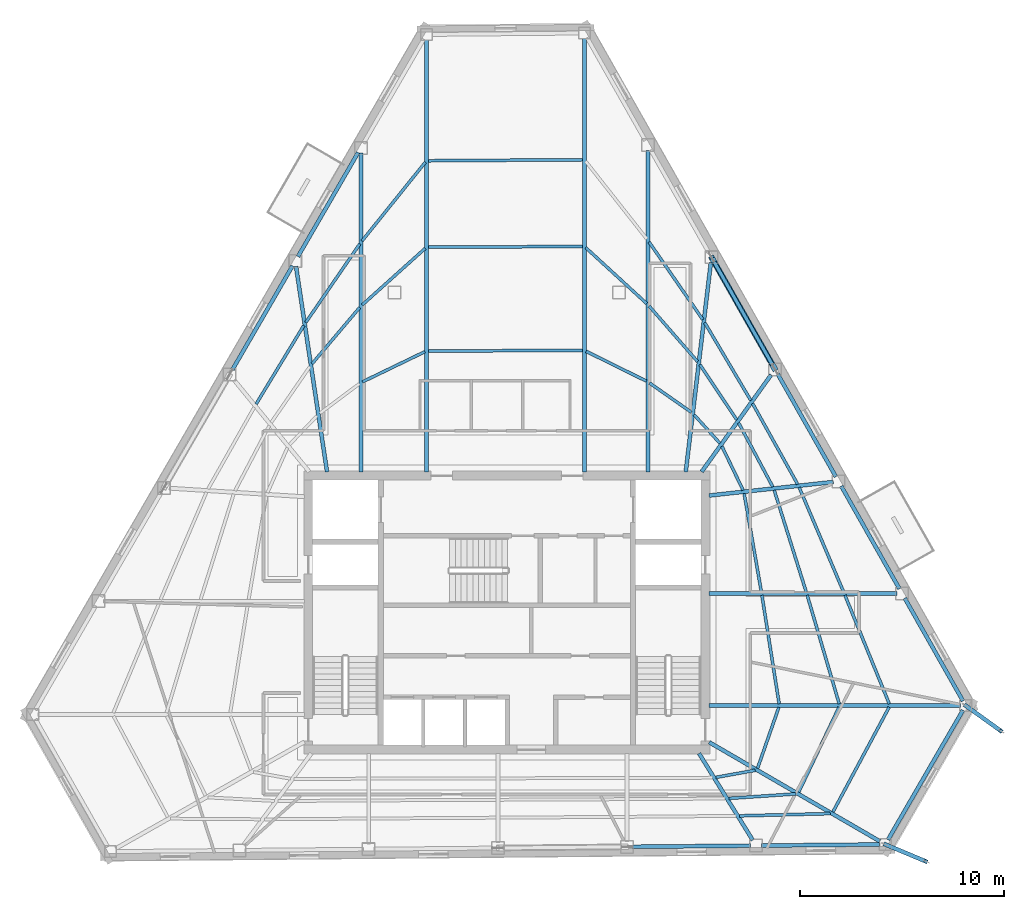
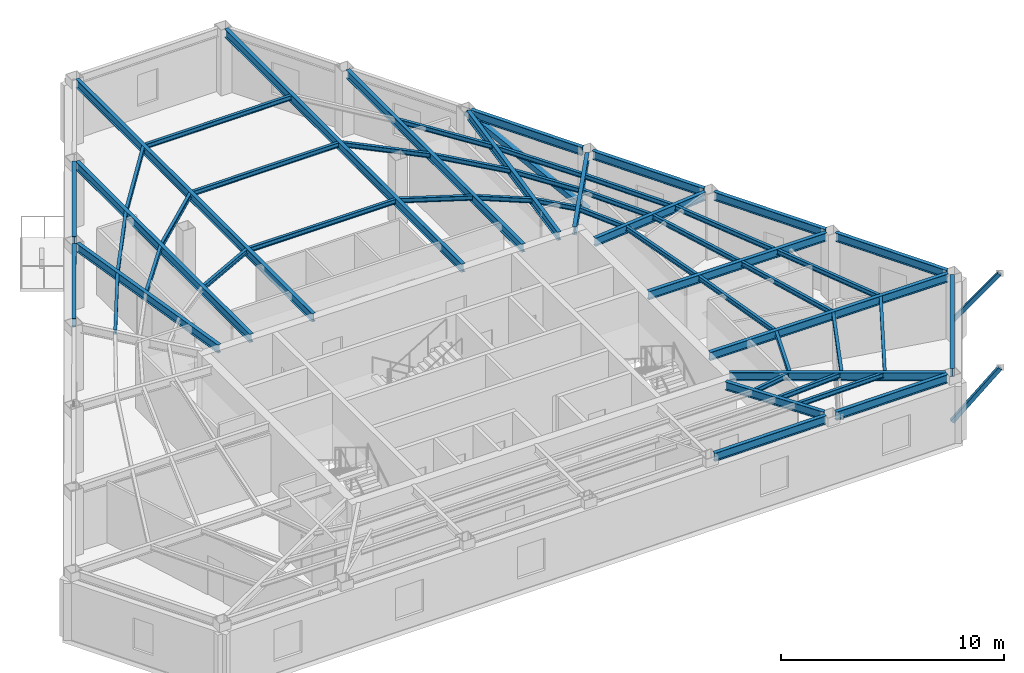
# One storey, part 2 of 10: 53 beams, 3 members.
"""IFC4 building model written with IfcOpenShell, lengths in metres."""

from ifc_helpers import new_model, si_unit, direction, frame, origin, origin_2d, place, context, subcontext, project, spatial, hollow_rectangle, i_section, extrude, material, material_profile, profile_set, type_object, element, save


model = new_model("IFC4")

# Units and contexts
model_context = context("Model", 3, precision=1e-05, world=origin(), true_north=direction((0.0, 1.0)))
body_context = subcontext(model_context, "Body", "Model", "MODEL_VIEW")
ifc_project = project(units=[si_unit("LENGTHUNIT", "METRE"), si_unit("AREAUNIT", "SQUARE_METRE"), si_unit("VOLUMEUNIT", "CUBIC_METRE"), si_unit("PLANEANGLEUNIT", "RADIAN"), si_unit("MASSUNIT", "GRAM", prefix="KILO")], contexts=[model_context])

# Site, building, storey
site_placement = place(None, origin())
site = spatial("IfcSite", under=ifc_project, at=site_placement, CompositionType="ELEMENT")
building_placement = place(site_placement, origin())
building = spatial("IfcBuilding", under=site, at=building_placement, Name="Kavelnor Concourse Tower", CompositionType="ELEMENT")
storey_placement = place(building_placement, frame((0.0, 0.0, 222.75)))
storey = spatial("IfcBuildingStorey", under=building, at=storey_placement, Name="L56", CompositionType="ELEMENT", Elevation=222.75)

# Beams
ifc_material = material(Name="Steel Grade 350", Category="steel")
ifc_material_profile_1 = material_profile(ifc_material, i_section(OverallWidth=0.14599609375, OverallDepth=0.256103515625, WebThickness=0.00634765625, FlangeThickness=0.010986328125, at=origin_2d()), Name="250UB37")
ifc_profile_set_1 = profile_set([ifc_material_profile_1], Name="Steel Grade 350")
beam_type_1 = type_object("IfcBeamType", Name="BM-JOIST-250", PredefinedType="JOIST", material=ifc_profile_set_1)
beam_1_placement = place(storey_placement, frame((48.253662109375, 8.017822265625, 3.471923828125), z_axis=(0.984084531963, 0.177700967783, 0.0), x_axis=(-0.177700967783, 0.984084531963, 0.0)))
element("IfcBeam", 1, at=beam_1_placement, inside=storey, type_object=beam_type_1, Name="L56 Secondary Composite Joist 07-1", PredefinedType="JOIST", context=body_context, shape_type="SweptSolid", body=[
    extrude(i_section(OverallWidth=0.14599609375, OverallDepth=0.256103515625, WebThickness=0.00634765625, FlangeThickness=0.010986328125, at=origin_2d()), origin(), (0.0, 0.0, 1.0), 1.959228515625),
])
beam_2_placement = place(storey_placement, frame((48.88720703125, 6.986328125, 3.471923828125), z_axis=(0.997719731514, 0.067493239268, 0.0), x_axis=(-0.067493239268, 0.997719731514, 0.0)))
element("IfcBeam", 2, at=beam_2_placement, inside=storey, type_object=beam_type_1, Name="L56 Secondary Composite Joist 07-2", PredefinedType="JOIST", context=body_context, shape_type="SweptSolid", body=[
    extrude(i_section(OverallWidth=0.14599609375, OverallDepth=0.256103515625, WebThickness=0.00634765625, FlangeThickness=0.010986328125, at=origin_2d()), origin(), (0.0, 0.0, 1.0), 3.309814453125),
])
beam_3_placement = place(storey_placement, frame((49.414306640625, 6.131103515625, 3.471923828125), z_axis=(0.999691199643, 0.024849655039, 0.0), x_axis=(-0.024849655039, 0.999691199643, 0.0)))
element("IfcBeam", 3, at=beam_3_placement, inside=storey, type_object=beam_type_1, Name="L56 Secondary Composite Joist 07-3", PredefinedType="JOIST", context=body_context, shape_type="SweptSolid", body=[
    extrude(i_section(OverallWidth=0.14599609375, OverallDepth=0.256103515625, WebThickness=0.00634765625, FlangeThickness=0.010986328125, at=origin_2d()), origin(), (0.0, 0.0, 1.0), 4.45068359375),
])
beam_4_placement = place(storey_placement, frame((50.298583984375, 8.4658203125, 3.471923828125), z_axis=(0.32942971212, 0.944180101873, 0.0), x_axis=(-0.944180101873, 0.32942971212, 0.0)))
element("IfcBeam", 4, at=beam_4_placement, inside=storey, type_object=beam_type_1, Name="L56 Secondary Composite Joist 08-1", PredefinedType="JOIST", context=body_context, shape_type="SweptSolid", body=[
    extrude(i_section(OverallWidth=0.14599609375, OverallDepth=0.256103515625, WebThickness=0.00634765625, FlangeThickness=0.010986328125, at=origin_2d()), origin(), (0.0, 0.0, 1.0), 3.166015625),
])
beam_5_placement = place(storey_placement, frame((52.31640625, 7.296142578125, 3.471923828125), z_axis=(0.428548712438, 0.903518677763, 0.0), x_axis=(-0.903518677763, 0.428548712438, 0.0)))
element("IfcBeam", 5, at=beam_5_placement, inside=storey, type_object=beam_type_1, Name="L56 Secondary Composite Joist 08-2", PredefinedType="JOIST", context=body_context, shape_type="SweptSolid", body=[
    extrude(i_section(OverallWidth=0.14599609375, OverallDepth=0.256103515625, WebThickness=0.00634765625, FlangeThickness=0.010986328125, at=origin_2d()), origin(), (0.0, 0.0, 1.0), 4.607177734375),
])
beam_6_placement = place(storey_placement, frame((53.994384765625, 6.322509765625, 3.471923828125), z_axis=(0.472851005056, 0.881142398831, 0.0), x_axis=(-0.881142398831, 0.472851005056, 0.0)))
element("IfcBeam", 6, at=beam_6_placement, inside=storey, type_object=beam_type_1, Name="L56 Secondary Composite Joist 08-3", PredefinedType="JOIST", context=body_context, shape_type="SweptSolid", body=[
    extrude(i_section(OverallWidth=0.14599609375, OverallDepth=0.256103515625, WebThickness=0.00634765625, FlangeThickness=0.010986328125, at=origin_2d()), origin(), (0.0, 0.0, 1.0), 5.831298828125),
])
beam_7_placement = place(storey_placement, frame((51.35693359375, 11.626953125, 3.471923828125), z_axis=(-0.156709323523, 0.987644768083, 0.0), x_axis=(-0.987644768083, -0.156709323523, 0.0)))
element("IfcBeam", 7, at=beam_7_placement, inside=storey, type_object=beam_type_1, Name="L56 Secondary Composite Joist 09-1", PredefinedType="JOIST", context=body_context, shape_type="SweptSolid", body=[
    extrude(i_section(OverallWidth=0.14599609375, OverallDepth=0.256103515625, WebThickness=0.00634765625, FlangeThickness=0.010986328125, at=origin_2d()), origin(), (0.0, 0.0, 1.0), 5.388916015625),
])
beam_8_placement = place(storey_placement, frame((54.3037109375, 11.62451171875, 3.471923828125), z_axis=(-0.282706538827, 0.959206449574, 0.0), x_axis=(-0.959206449574, -0.282706538827, 0.0)))
element("IfcBeam", 8, at=beam_8_placement, inside=storey, type_object=beam_type_1, Name="L56 Secondary Composite Joist 09-2", PredefinedType="JOIST", context=body_context, shape_type="SweptSolid", body=[
    extrude(i_section(OverallWidth=0.14599609375, OverallDepth=0.256103515625, WebThickness=0.00634765625, FlangeThickness=0.010986328125, at=origin_2d()), origin(), (0.0, 0.0, 1.0), 5.5537109375),
])
beam_9_placement = place(storey_placement, frame((56.76025390625, 11.62158203125, 3.471923828125), z_axis=(-0.377863630791, 0.925861262029, 0.0), x_axis=(-0.925861262029, -0.377863630791, 0.0)))
element("IfcBeam", 9, at=beam_9_placement, inside=storey, type_object=beam_type_1, Name="L56 Secondary Composite Joist 09-3", PredefinedType="JOIST", context=body_context, shape_type="SweptSolid", body=[
    extrude(i_section(OverallWidth=0.14599609375, OverallDepth=0.256103515625, WebThickness=0.00634765625, FlangeThickness=0.010986328125, at=origin_2d()), origin(), (0.0, 0.0, 1.0), 5.760009765625),
])
beam_10_placement = place(storey_placement, frame((50.483154296875, 17.124755859375, 3.471923828125), z_axis=(-0.172201033332, 0.985061827562, 0.0), x_axis=(-0.985061827562, -0.172201033332, 0.0)))
element("IfcBeam", 10, at=beam_10_placement, inside=storey, type_object=beam_type_1, Name="L56 Secondary Composite Joist 10-1", PredefinedType="JOIST", context=body_context, shape_type="SweptSolid", body=[
    extrude(i_section(OverallWidth=0.14599609375, OverallDepth=0.256103515625, WebThickness=0.00634765625, FlangeThickness=0.010986328125, at=origin_2d()), origin(), (0.0, 0.0, 1.0), 4.888427734375),
])
beam_11_placement = place(storey_placement, frame((52.681884765625, 17.121826171875, 3.471923828125), z_axis=(-0.300135401835, 0.953896608949, 0.0), x_axis=(-0.953896608949, -0.300135401835, 0.0)))
element("IfcBeam", 11, at=beam_11_placement, inside=storey, type_object=beam_type_1, Name="L56 Secondary Composite Joist 10-2", PredefinedType="JOIST", context=body_context, shape_type="SweptSolid", body=[
    extrude(i_section(OverallWidth=0.14599609375, OverallDepth=0.256103515625, WebThickness=0.00634765625, FlangeThickness=0.010986328125, at=origin_2d()), origin(), (0.0, 0.0, 1.0), 5.221435546875),
])
beam_12_placement = place(storey_placement, frame((54.515380859375, 17.118896484375, 3.471923828125), z_axis=(-0.390871082065, 0.920445434127, 0.0), x_axis=(-0.920445434127, -0.390871082065, 0.0)))
element("IfcBeam", 12, at=beam_12_placement, inside=storey, type_object=beam_type_1, Name="L56 Secondary Composite Joist 10-3", PredefinedType="JOIST", context=body_context, shape_type="SweptSolid", body=[
    extrude(i_section(OverallWidth=0.14599609375, OverallDepth=0.256103515625, WebThickness=0.00634765625, FlangeThickness=0.010986328125, at=origin_2d()), origin(), (0.0, 0.0, 1.0), 5.56201171875),
])
beam_13_placement = place(storey_placement, frame((49.58740234375, 22.108154296875, 3.471923828125), z_axis=(-0.434577565682, 0.900634409406, 0.0), x_axis=(-0.900634409406, -0.434577565682, 0.0)))
element("IfcBeam", 13, at=beam_13_placement, inside=storey, type_object=beam_type_1, Name="L56 Secondary Composite Joist 11-1", PredefinedType="JOIST", context=body_context, shape_type="SweptSolid", body=[
    extrude(i_section(OverallWidth=0.14599609375, OverallDepth=0.256103515625, WebThickness=0.00634765625, FlangeThickness=0.010986328125, at=origin_2d()), origin(), (0.0, 0.0, 1.0), 2.388671875),
])
beam_14_placement = place(storey_placement, frame((51.046142578125, 22.26611328125, 3.471923828125), z_axis=(-0.471133293755, 0.882062027023, 0.0), x_axis=(-0.882062027023, -0.471133293755, 0.0)))
element("IfcBeam", 14, at=beam_14_placement, inside=storey, type_object=beam_type_1, Name="L56 Secondary Composite Joist 11-2", PredefinedType="JOIST", context=body_context, shape_type="SweptSolid", body=[
    extrude(i_section(OverallWidth=0.14599609375, OverallDepth=0.256103515625, WebThickness=0.00634765625, FlangeThickness=0.010986328125, at=origin_2d()), origin(), (0.0, 0.0, 1.0), 3.556396484375),
])
beam_15_placement = place(storey_placement, frame((52.26318359375, 22.398193359375, 3.471923828125), z_axis=(-0.487494145885, 0.87312625532, 0.0), x_axis=(-0.87312625532, -0.487494145885, 0.0)))
element("IfcBeam", 15, at=beam_15_placement, inside=storey, type_object=beam_type_1, Name="L56 Secondary Composite Joist 11-3", PredefinedType="JOIST", context=body_context, shape_type="SweptSolid", body=[
    extrude(i_section(OverallWidth=0.14599609375, OverallDepth=0.256103515625, WebThickness=0.00634765625, FlangeThickness=0.010986328125, at=origin_2d()), origin(), (0.0, 0.0, 1.0), 4.5322265625),
])
beam_16_placement = place(storey_placement, frame((48.450927734375, 24.40576171875, 3.471923828125), z_axis=(-0.670822150204, 0.741618259481, 0.0), x_axis=(-0.741618259481, -0.670822150204, 0.0)))
element("IfcBeam", 16, at=beam_16_placement, inside=storey, type_object=beam_type_1, Name="L56 Secondary Composite Joist 12-1", PredefinedType="JOIST", context=body_context, shape_type="SweptSolid", body=[
    extrude(i_section(OverallWidth=0.14599609375, OverallDepth=0.256103515625, WebThickness=0.00634765625, FlangeThickness=0.010986328125, at=origin_2d()), origin(), (0.0, 0.0, 1.0), 1.893310546875),
])
beam_17_placement = place(storey_placement, frame((49.279296875, 25.555419921875, 3.471923828125), z_axis=(-0.555839706028, 0.831289493018, 0.0), x_axis=(-0.831289493018, -0.555839706028, 0.0)))
element("IfcBeam", 17, at=beam_17_placement, inside=storey, type_object=beam_type_1, Name="L56 Secondary Composite Joist 12-2", PredefinedType="JOIST", context=body_context, shape_type="SweptSolid", body=[
    extrude(i_section(OverallWidth=0.14599609375, OverallDepth=0.256103515625, WebThickness=0.00634765625, FlangeThickness=0.010986328125, at=origin_2d()), origin(), (0.0, 0.0, 1.0), 3.26171875),
])
beam_18_placement = place(storey_placement, frame((49.96484375, 26.509765625, 3.471923828125), z_axis=(-0.509685972503, 0.860360511317, 0.0), x_axis=(-0.860360511317, -0.509685972503, 0.0)))
element("IfcBeam", 18, at=beam_18_placement, inside=storey, type_object=beam_type_1, Name="L56 Secondary Composite Joist 12-3", PredefinedType="JOIST", context=body_context, shape_type="SweptSolid", body=[
    extrude(i_section(OverallWidth=0.14599609375, OverallDepth=0.256103515625, WebThickness=0.00634765625, FlangeThickness=0.010986328125, at=origin_2d()), origin(), (0.0, 0.0, 1.0), 4.426513671875),
])
beam_19_placement = place(storey_placement, frame((47.048095703125, 25.927001953125, 3.471923828125), z_axis=(-0.819053292011, 0.573717443386, 0.0), x_axis=(-0.573717443386, -0.819053292011, 0.0)))
element("IfcBeam", 19, at=beam_19_placement, inside=storey, type_object=beam_type_1, Name="L56 Secondary Composite Joist 13-1", PredefinedType="JOIST", context=body_context, shape_type="SweptSolid", body=[
    extrude(i_section(OverallWidth=0.14599609375, OverallDepth=0.256103515625, WebThickness=0.00634765625, FlangeThickness=0.010986328125, at=origin_2d()), origin(), (0.0, 0.0, 1.0), 2.504638671875),
])
beam_20_placement = place(storey_placement, frame((47.3583984375, 28.40771484375, 3.471923828125), z_axis=(-0.657246360352, 0.753675806832, 0.0), x_axis=(-0.753675806832, -0.657246360352, 0.0)))
element("IfcBeam", 20, at=beam_20_placement, inside=storey, type_object=beam_type_1, Name="L56 Secondary Composite Joist 13-2", PredefinedType="JOIST", context=body_context, shape_type="SweptSolid", body=[
    extrude(i_section(OverallWidth=0.14599609375, OverallDepth=0.256103515625, WebThickness=0.00634765625, FlangeThickness=0.010986328125, at=origin_2d()), origin(), (0.0, 0.0, 1.0), 3.615478515625),
])
beam_21_placement = place(storey_placement, frame((47.61279296875, 30.468017578125, 3.471923828125), z_axis=(-0.569089488149, 0.822275595211, 0.0), x_axis=(-0.822275595211, -0.569089488149, 0.0)))
element("IfcBeam", 21, at=beam_21_placement, inside=storey, type_object=beam_type_1, Name="L56 Secondary Composite Joist 13-3", PredefinedType="JOIST", context=body_context, shape_type="SweptSolid", body=[
    extrude(i_section(OverallWidth=0.14599609375, OverallDepth=0.256103515625, WebThickness=0.00634765625, FlangeThickness=0.010986328125, at=origin_2d()), origin(), (0.0, 0.0, 1.0), 4.63623046875),
])
beam_22_placement = place(storey_placement, frame((44.84375, 27.45458984375, 3.471923828125), z_axis=(-0.89654919857, 0.442944166395, 0.0), x_axis=(-0.442944166395, -0.89654919857, 0.0)))
element("IfcBeam", 22, at=beam_22_placement, inside=storey, type_object=beam_type_1, Name="L56 Secondary Composite Joist 14-1", PredefinedType="JOIST", context=body_context, shape_type="SweptSolid", body=[
    extrude(i_section(OverallWidth=0.14599609375, OverallDepth=0.256103515625, WebThickness=0.00634765625, FlangeThickness=0.010986328125, at=origin_2d()), origin(), (0.0, 0.0, 1.0), 3.297607421875),
])
beam_23_placement = place(storey_placement, frame((44.85791015625, 31.259765625, 3.471923828125), z_axis=(-0.736886405261, 0.676016586883, 0.0), x_axis=(-0.676016586883, -0.736886405261, 0.0)))
element("IfcBeam", 23, at=beam_23_placement, inside=storey, type_object=beam_type_1, Name="L56 Secondary Composite Joist 14-2", PredefinedType="JOIST", context=body_context, shape_type="SweptSolid", body=[
    extrude(i_section(OverallWidth=0.14599609375, OverallDepth=0.256103515625, WebThickness=0.00634765625, FlangeThickness=0.010986328125, at=origin_2d()), origin(), (0.0, 0.0, 1.0), 4.051025390625),
])
for number, where, z_axis, x_axis, name in (
    (24, (41.71826171875, 28.954345703125, 3.471923828125), (-0.999996671011, -0.002580303628, 0.0), (0.002580303628, -0.999996671011, 0.0), "L56 Secondary Composite Joist 15-1"),
    (25, (41.71826171875, 34.05810546875, 3.471923828125), (-0.999988452192, -0.004805776009, 0.0), (0.004805776009, -0.999988452192, 0.0), "L56 Secondary Composite Joist 15-2"),
):
    element("IfcBeam", number, at=place(storey_placement, frame(where, z_axis=z_axis, x_axis=x_axis)), inside=storey, type_object=beam_type_1, Name=name, PredefinedType="JOIST", context=body_context, shape_type="SweptSolid", body=[
        extrude(i_section(OverallWidth=0.14599609375, OverallDepth=0.256103515625, WebThickness=0.00634765625, FlangeThickness=0.010986328125, at=origin_2d()), origin(), (0.0, 0.0, 1.0), 7.5693359375),
    ])
beam_24_placement = place(storey_placement, frame((41.71826171875, 38.311279296875, 3.471923828125), z_axis=(-0.999977927343, -0.006644157303, 0.0), x_axis=(0.006644157303, -0.999977927343, 0.0)))
element("IfcBeam", 26, at=beam_24_placement, inside=storey, type_object=beam_type_1, Name="L56 Secondary Composite Joist 15-3", PredefinedType="JOIST", context=body_context, shape_type="SweptSolid", body=[
    extrude(i_section(OverallWidth=0.14599609375, OverallDepth=0.256103515625, WebThickness=0.00634765625, FlangeThickness=0.010986328125, at=origin_2d()), origin(), (0.0, 0.0, 1.0), 7.569580078125),
])
beam_25_placement = place(storey_placement, frame((33.97998046875, 28.89599609375, 3.471923828125), z_axis=(-0.900283720594, -0.435303598001, 0.0), x_axis=(0.435303598001, -0.900283720594, 0.0)))
element("IfcBeam", 27, at=beam_25_placement, inside=storey, type_object=beam_type_1, Name="L56 Secondary Composite Joist 16-1", PredefinedType="JOIST", context=body_context, shape_type="SweptSolid", body=[
    extrude(i_section(OverallWidth=0.14599609375, OverallDepth=0.256103515625, WebThickness=0.00634765625, FlangeThickness=0.010986328125, at=origin_2d()), origin(), (0.0, 0.0, 1.0), 3.397705078125),
])
beam_26_placement = place(storey_placement, frame((33.993896484375, 33.9619140625, 3.471923828125), z_axis=(-0.744045726258, -0.66812869811, 0.0), x_axis=(0.66812869811, -0.744045726258, 0.0)))
element("IfcBeam", 28, at=beam_26_placement, inside=storey, type_object=beam_type_1, Name="L56 Secondary Composite Joist 16-2", PredefinedType="JOIST", context=body_context, shape_type="SweptSolid", body=[
    extrude(i_section(OverallWidth=0.14599609375, OverallDepth=0.256103515625, WebThickness=0.00634765625, FlangeThickness=0.010986328125, at=origin_2d()), origin(), (0.0, 0.0, 1.0), 4.1484375),
])
beam_27_placement = place(storey_placement, frame((34.004150390625, 38.19091796875, 3.471923828125), z_axis=(-0.626734596445, -0.779232792956, 0.0), x_axis=(0.779232792956, -0.626734596445, 0.0)))
element("IfcBeam", 29, at=beam_27_placement, inside=storey, type_object=beam_type_1, Name="L56 Secondary Composite Joist 16-3", PredefinedType="JOIST", context=body_context, shape_type="SweptSolid", body=[
    extrude(i_section(OverallWidth=0.14599609375, OverallDepth=0.256103515625, WebThickness=0.00634765625, FlangeThickness=0.010986328125, at=origin_2d()), origin(), (0.0, 0.0, 1.0), 4.9580078125),
])
beam_28_placement = place(storey_placement, frame((30.783447265625, 31.06298828125, 3.471923828125), z_axis=(-0.646414967629, -0.762986035013, 0.0), x_axis=(0.762986035013, -0.646414967629, 0.0)))
element("IfcBeam", 30, at=beam_28_placement, inside=storey, type_object=beam_type_1, Name="L56 Secondary Composite Joist 17-2", PredefinedType="JOIST", context=body_context, shape_type="SweptSolid", body=[
    extrude(i_section(OverallWidth=0.14599609375, OverallDepth=0.256103515625, WebThickness=0.00634765625, FlangeThickness=0.010986328125, at=origin_2d()), origin(), (0.0, 0.0, 1.0), 3.610595703125),
])
beam_29_placement = place(storey_placement, frame((30.79052734375, 34.184814453125, 3.471923828125), z_axis=(-0.566739112388, -0.823897310646, 0.0), x_axis=(0.823897310646, -0.566739112388, 0.0)))
element("IfcBeam", 31, at=beam_29_placement, inside=storey, type_object=beam_type_1, Name="L56 Secondary Composite Joist 17-3", PredefinedType="JOIST", context=body_context, shape_type="SweptSolid", body=[
    extrude(i_section(OverallWidth=0.14599609375, OverallDepth=0.256103515625, WebThickness=0.00634765625, FlangeThickness=0.010986328125, at=origin_2d()), origin(), (0.0, 0.0, 1.0), 4.680419921875),
])
beam_30_placement = place(storey_placement, frame((28.041259765625, 30.17919921875, 3.471923828125), z_axis=(-0.518964003957, -0.854796094163, 0.0), x_axis=(0.854796094163, -0.518964003957, 0.0)))
element("IfcBeam", 32, at=beam_30_placement, inside=storey, type_object=beam_type_1, Name="L56 Secondary Composite Joist 18-3", PredefinedType="JOIST", context=body_context, shape_type="SweptSolid", body=[
    extrude(i_section(OverallWidth=0.14599609375, OverallDepth=0.256103515625, WebThickness=0.00634765625, FlangeThickness=0.010986328125, at=origin_2d()), origin(), (0.0, 0.0, 1.0), 4.5087890625),
])
ifc_material_profile_2 = material_profile(ifc_material, i_section(OverallWidth=0.18994140625, OverallDepth=0.4541015625, WebThickness=0.008544921875, FlangeThickness=0.0126953125, at=origin_2d()), Name="460UB67")
ifc_profile_set_2 = profile_set([ifc_material_profile_2], Name="Steel Grade 350")
beam_type_2 = type_object("IfcBeamType", Name="BM-PRIMARY-460", PredefinedType="BEAM", material=ifc_profile_set_2)
beam_31_placement = place(storey_placement, frame((34.06005859375, 23.0, 3.373046875), z_axis=(0.0, 1.0, 0.0), x_axis=(-1.0, 0.0, 0.0)))
element("IfcBeam", 33, at=beam_31_placement, inside=storey, type_object=beam_type_2, Name="L56 Primary Floor Girder F0-B0", PredefinedType="BEAM", context=body_context, shape_type="SweptSolid", body=[
    extrude(i_section(OverallWidth=0.18994140625, OverallDepth=0.4541015625, WebThickness=0.008544921875, FlangeThickness=0.0126953125, at=origin_2d()), origin(), (0.0, 0.0, 1.0), 21.195068359375),
])
beam_32_placement = place(storey_placement, frame((30.841064453125, 23.0, 3.373046875), z_axis=(0.0, 1.0, 0.0), x_axis=(-1.0, 0.0, 0.0)))
element("IfcBeam", 34, at=beam_32_placement, inside=storey, type_object=beam_type_2, Name="L56 Primary Floor Girder F0-B1", PredefinedType="BEAM", context=body_context, shape_type="SweptSolid", body=[
    extrude(i_section(OverallWidth=0.18994140625, OverallDepth=0.4541015625, WebThickness=0.008544921875, FlangeThickness=0.0126953125, at=origin_2d()), origin(), (0.0, 0.0, 1.0), 15.635986328125),
])
beam_33_placement = place(storey_placement, frame((29.18359375, 23.00048828125, 3.373046875), z_axis=(-0.149372460011, 0.988781001127, 0.0), x_axis=(-0.988781001127, -0.149372460011, 0.0)))
element("IfcBeam", 35, at=beam_33_placement, inside=storey, type_object=beam_type_2, Name="L56 Primary Floor Girder F0-B2", PredefinedType="BEAM", context=body_context, shape_type="SweptSolid", body=[
    extrude(i_section(OverallWidth=0.18994140625, OverallDepth=0.4541015625, WebThickness=0.008544921875, FlangeThickness=0.0126953125, at=origin_2d()), origin(), (0.0, 0.0, 1.0), 10.190673828125),
])
beam_34_placement = place(storey_placement, frame((47.42822265625, 9.194091796875, 3.373046875), z_axis=(0.52627235112, -0.850316066205, 0.0), x_axis=(0.850316066205, 0.52627235112, 0.0)))
element("IfcBeam", 36, at=beam_34_placement, inside=storey, type_object=beam_type_2, Name="L56 Primary Floor Girder F1-B5", PredefinedType="BEAM", context=body_context, shape_type="SweptSolid", body=[
    extrude(i_section(OverallWidth=0.18994140625, OverallDepth=0.4541015625, WebThickness=0.008544921875, FlangeThickness=0.0126953125, at=origin_2d()), origin(), (0.0, 0.0, 1.0), 5.00634765625),
])
beam_35_placement = place(storey_placement, frame((47.92529296875, 9.7421875, 3.373046875), z_axis=(0.864878325751, -0.501981555086, 0.0), x_axis=(0.501981555086, 0.864878325751, 0.0)))
element("IfcBeam", 37, at=beam_35_placement, inside=storey, type_object=beam_type_2, Name="L56 Primary Floor Girder F1-B6", PredefinedType="BEAM", context=body_context, shape_type="SweptSolid", body=[
    extrude(i_section(OverallWidth=0.18994140625, OverallDepth=0.4541015625, WebThickness=0.008544921875, FlangeThickness=0.0126953125, at=origin_2d()), origin(), (0.0, 0.0, 1.0), 9.678955078125),
])
beam_36_placement = place(storey_placement, frame((47.919921875, 11.5390625, 3.373046875), z_axis=(1.0, 0.0, 0.0), x_axis=(0.0, 1.0, 0.0)))
element("IfcBeam", 38, at=beam_36_placement, inside=storey, type_object=beam_type_2, Name="L56 Primary Floor Girder F2-B0", PredefinedType="BEAM", context=body_context, shape_type="SweptSolid", body=[
    extrude(i_section(OverallWidth=0.18994140625, OverallDepth=0.4541015625, WebThickness=0.008544921875, FlangeThickness=0.0126953125, at=origin_2d()), origin(), (0.0, 0.0, 1.0), 12.324951171875),
])
beam_37_placement = place(storey_placement, frame((47.919921875, 17.037109375, 3.373046875), z_axis=(1.0, 0.0, 0.0), x_axis=(0.0, 1.0, 0.0)))
element("IfcBeam", 39, at=beam_37_placement, inside=storey, type_object=beam_type_2, Name="L56 Primary Floor Girder F2-B1", PredefinedType="BEAM", context=body_context, shape_type="SweptSolid", body=[
    extrude(i_section(OverallWidth=0.18994140625, OverallDepth=0.4541015625, WebThickness=0.008544921875, FlangeThickness=0.0126953125, at=origin_2d()), origin(), (0.0, 0.0, 1.0), 9.208740234375),
])
beam_38_placement = place(storey_placement, frame((47.920166015625, 21.841796875, 3.373046875), z_axis=(0.994098505816, 0.108481153823, 0.0), x_axis=(-0.108481153823, 0.994098505816, 0.0)))
element("IfcBeam", 40, at=beam_38_placement, inside=storey, type_object=beam_type_2, Name="L56 Primary Floor Girder F2-B2", PredefinedType="BEAM", context=body_context, shape_type="SweptSolid", body=[
    extrude(i_section(OverallWidth=0.18994140625, OverallDepth=0.4541015625, WebThickness=0.008544921875, FlangeThickness=0.0126953125, at=origin_2d()), origin(), (0.0, 0.0, 1.0), 6.128173828125),
])
beam_39_placement = place(storey_placement, frame((47.556396484375, 23.007568359375, 3.373046875), z_axis=(0.582342543883, 0.812943516847, 0.0), x_axis=(-0.812943516847, 0.582342543883, 0.0)))
element("IfcBeam", 41, at=beam_39_placement, inside=storey, type_object=beam_type_2, Name="L56 Primary Floor Girder F2-B3", PredefinedType="BEAM", context=body_context, shape_type="SweptSolid", body=[
    extrude(i_section(OverallWidth=0.18994140625, OverallDepth=0.4541015625, WebThickness=0.008544921875, FlangeThickness=0.0126953125, at=origin_2d()), origin(), (0.0, 0.0, 1.0), 5.8525390625),
])
beam_40_placement = place(storey_placement, frame((46.77587890625, 23.000244140625, 3.373046875), z_axis=(0.119167557064, 0.992874157859, 0.0), x_axis=(-0.992874157859, 0.119167557064, 0.0)))
element("IfcBeam", 42, at=beam_40_placement, inside=storey, type_object=beam_type_2, Name="L56 Primary Floor Girder F2-B4", PredefinedType="BEAM", context=body_context, shape_type="SweptSolid", body=[
    extrude(i_section(OverallWidth=0.18994140625, OverallDepth=0.4541015625, WebThickness=0.008544921875, FlangeThickness=0.0126953125, at=origin_2d()), origin(), (0.0, 0.0, 1.0), 10.343994140625),
])
beam_41_placement = place(storey_placement, frame((44.923583984375, 23.0, 3.373046875), z_axis=(0.0, 1.0, 0.0), x_axis=(-1.0, 0.0, 0.0)))
element("IfcBeam", 43, at=beam_41_placement, inside=storey, type_object=beam_type_2, Name="L56 Primary Floor Girder F2-B5", PredefinedType="BEAM", context=body_context, shape_type="SweptSolid", body=[
    extrude(i_section(OverallWidth=0.18994140625, OverallDepth=0.4541015625, WebThickness=0.008544921875, FlangeThickness=0.0126953125, at=origin_2d()), origin(), (0.0, 0.0, 1.0), 15.7685546875),
])
beam_42_placement = place(storey_placement, frame((41.807373046875, 23.0, 3.373046875), z_axis=(0.0, 1.0, 0.0), x_axis=(-1.0, 0.0, 0.0)))
element("IfcBeam", 44, at=beam_42_placement, inside=storey, type_object=beam_type_2, Name="L56 Primary Floor Girder F2-B6", PredefinedType="BEAM", context=body_context, shape_type="SweptSolid", body=[
    extrude(i_section(OverallWidth=0.18994140625, OverallDepth=0.4541015625, WebThickness=0.008544921875, FlangeThickness=0.0126953125, at=origin_2d()), origin(), (0.0, 0.0, 1.0), 21.2666015625),
])
ifc_material_profile_3 = material_profile(ifc_material, i_section(OverallWidth=0.19091796875, OverallDepth=0.4599609375, WebThickness=0.010009765625, FlangeThickness=0.01611328125, at=origin_2d()), Name="460UB82")
ifc_profile_set_3 = profile_set([ifc_material_profile_3], Name="Steel Grade 350")
beam_type_3 = type_object("IfcBeamType", Name="BM-SPANDREL-Z3", PredefinedType="SPANDREL", material=ifc_profile_set_3)
for number, where, z_axis, x_axis, name in (
    (45, (30.708251953125, 38.666748046875, 3.3701171875), (-0.501104850437, -0.865386577703, 0.0), (0.865386577703, -0.501104850437, 0.0), "L56 Perimeter Tube Spandrel Beam F0-B1"),
    (46, (27.4892578125, 33.10791015625, 3.3701171875), (-0.501104850437, -0.865386577703, 0.0), (0.865386577703, -0.501104850437, 0.0), "L56 Perimeter Tube Spandrel Beam F0-B2"),
):
    element("IfcBeam", number, at=place(storey_placement, frame(where, z_axis=z_axis, x_axis=x_axis)), inside=storey, type_object=beam_type_3, Name=name, PredefinedType="SPANDREL", context=body_context, shape_type="SweptSolid", body=[
        extrude(i_section(OverallWidth=0.19091796875, OverallDepth=0.4599609375, WebThickness=0.010009765625, FlangeThickness=0.01611328125, at=origin_2d()), origin(), (0.0, 0.0, 1.0), 5.893798828125),
    ])
beam_43_placement = place(storey_placement, frame((44.158447265625, 4.614990234375, 3.3701171875), z_axis=(0.999957182679, 0.009253799697, 0.0), x_axis=(-0.009253799697, 0.999957182679, 0.0)))
element("IfcBeam", 47, at=beam_43_placement, inside=storey, type_object=beam_type_3, Name="L56 Perimeter Tube Spandrel Beam F1-B4", PredefinedType="SPANDREL", context=body_context, shape_type="SweptSolid", body=[
    extrude(i_section(OverallWidth=0.19091796875, OverallDepth=0.4599609375, WebThickness=0.010009765625, FlangeThickness=0.01611328125, at=origin_2d()), origin(), (0.0, 0.0, 1.0), 5.80419921875),
])
beam_44_placement = place(storey_placement, frame((50.492431640625, 4.673583984375, 3.3701171875), z_axis=(0.999957574587, 0.00921135311, 0.0), x_axis=(-0.00921135311, 0.999957574587, 0.0)))
element("IfcBeam", 48, at=beam_44_placement, inside=storey, type_object=beam_type_3, Name="L56 Perimeter Tube Spandrel Beam F1-B5", PredefinedType="SPANDREL", context=body_context, shape_type="SweptSolid", body=[
    extrude(i_section(OverallWidth=0.19091796875, OverallDepth=0.4599609375, WebThickness=0.010009765625, FlangeThickness=0.01611328125, at=origin_2d()), origin(), (0.0, 0.0, 1.0), 5.804443359375),
])
beam_45_placement = place(storey_placement, frame((60.374267578125, 11.76953125, 3.3701171875), z_axis=(-0.493111516196, 0.869966110026, 0.0), x_axis=(-0.869966110026, -0.493111516196, 0.0)))
element("IfcBeam", 49, at=beam_45_placement, inside=storey, type_object=beam_type_3, Name="L56 Perimeter Tube Spandrel Beam F2-B0", PredefinedType="SPANDREL", context=body_context, shape_type="SweptSolid", body=[
    extrude(i_section(OverallWidth=0.19091796875, OverallDepth=0.4599609375, WebThickness=0.010009765625, FlangeThickness=0.01611328125, at=origin_2d()), origin(), (0.0, 0.0, 1.0), 5.789794921875),
])
for number, where, z_axis, x_axis, name in (
    (50, (57.2578125, 17.267578125, 3.3701171875), (-0.493079600798, 0.869984199441, 0.0), (-0.869984199441, -0.493079600798, 0.0), "L56 Perimeter Tube Spandrel Beam F2-B1"),
    (51, (54.1416015625, 22.765380859375, 3.3701171875), (-0.493079600798, 0.869984199441, 0.0), (-0.869984199441, -0.493079600798, 0.0), "L56 Perimeter Tube Spandrel Beam F2-B2"),
):
    element("IfcBeam", number, at=place(storey_placement, frame(where, z_axis=z_axis, x_axis=x_axis)), inside=storey, type_object=beam_type_3, Name=name, PredefinedType="SPANDREL", context=body_context, shape_type="SweptSolid", body=[
        extrude(i_section(OverallWidth=0.19091796875, OverallDepth=0.4599609375, WebThickness=0.010009765625, FlangeThickness=0.01611328125, at=origin_2d()), origin(), (0.0, 0.0, 1.0), 5.78955078125),
    ])
beam_46_placement = place(storey_placement, frame((51.025390625, 28.26318359375, 3.3701171875), z_axis=(-0.49309342713, 0.869976362967, 0.0), x_axis=(-0.869976362967, -0.49309342713, 0.0)))
element("IfcBeam", 52, at=beam_46_placement, inside=storey, type_object=beam_type_3, Name="L56 Perimeter Tube Spandrel Beam F2-B3", PredefinedType="SPANDREL", context=body_context, shape_type="SweptSolid", body=[
    extrude(i_section(OverallWidth=0.19091796875, OverallDepth=0.4599609375, WebThickness=0.010009765625, FlangeThickness=0.01611328125, at=origin_2d()), origin(), (0.0, 0.0, 1.0), 5.7900390625),
])
beam_47_placement = place(storey_placement, frame((56.694580078125, 4.958740234375, 3.3701171875), z_axis=(0.501092656815, 0.865393638344, 0.0), x_axis=(-0.865393638344, 0.501092656815, 0.0)))
element("IfcBeam", 53, at=beam_47_placement, inside=storey, type_object=beam_type_3, Name="L56 Chamfer Facet Spandrel Beam C2", PredefinedType="SPANDREL", context=body_context, shape_type="SweptSolid", body=[
    extrude(i_section(OverallWidth=0.19091796875, OverallDepth=0.4599609375, WebThickness=0.010009765625, FlangeThickness=0.01611328125, at=origin_2d()), origin(), (0.0, 0.0, 1.0), 7.3388671875),
])

# Members
ifc_material_profile_4 = material_profile(ifc_material, hollow_rectangle(XDim=0.199951171875, YDim=0.199951171875, WallThickness=0.011962890625, at=origin_2d()), Name="SHS 200x200x12")
ifc_profile_set_4 = profile_set([ifc_material_profile_4], Name="Steel Grade 350")
member_type_1 = type_object("IfcMemberType", Name="MBR-TERR-STRUT-200", PredefinedType="STRUT", material=ifc_profile_set_4)
member_1_placement = place(storey_placement, frame((56.561767578125, 4.7294921875, 0.89990234375), z_axis=(0.571903654032, -0.238806903062, 0.784791356703), x_axis=(0.385321546502, 0.922782371852, 0.0)))
element("IfcMember", 54, at=member_1_placement, inside=storey, type_object=member_type_1, Name="L56 Spiral Terrace Raking Knee Strut C2-A", PredefinedType="STRUT", context=body_context, shape_type="SweptSolid", body=[
    extrude(hollow_rectangle(XDim=0.199951171875, YDim=0.199951171875, WallThickness=0.011962890625, at=origin_2d()), origin(), (0.0, 0.0, 1.0), 3.485107421875),
])
member_2_placement = place(storey_placement, frame((60.5048828125, 11.5390625, 0.89990234375), z_axis=(0.497872866906, -0.35821184321, 0.789814461619), x_axis=(0.584029142102, 0.811732690715, 0.0)))
element("IfcMember", 55, at=member_2_placement, inside=storey, type_object=member_type_1, Name="L56 Spiral Terrace Raking Knee Strut C2-B", PredefinedType="STRUT", context=body_context, shape_type="SweptSolid", body=[
    extrude(hollow_rectangle(XDim=0.199951171875, YDim=0.199951171875, WallThickness=0.011962890625, at=origin_2d()), origin(), (0.0, 0.0, 1.0), 3.462890625),
])
ifc_material_profile_5 = material_profile(ifc_material, hollow_rectangle(XDim=0.280029296875, YDim=0.280029296875, WallThickness=0.01611328125, at=origin_2d()), Name="SHS 280x280x16")
ifc_profile_set_5 = profile_set([ifc_material_profile_5], Name="Steel Grade 350")
member_type_2 = type_object("IfcMemberType", Name="MBR-TUBE-DIAG-Z3", PredefinedType="BRACE", material=ifc_profile_set_5)
member_3_placement = place(storey_placement, frame((51.156005859375, 28.03271484375, 0.219970703125), z_axis=(-0.441305048371, 0.77861091267, 0.446110861731), x_axis=(-0.869977995108, -0.493090547494, 0.0)))
element("IfcMember", 56, at=member_3_placement, inside=storey, type_object=member_type_2, Name="L56 Framed-Tube Bracing Diagonal F2-B3", PredefinedType="BRACE", context=body_context, shape_type="SweptSolid", body=[
    extrude(hollow_rectangle(XDim=0.280029296875, YDim=0.280029296875, WallThickness=0.01611328125, at=origin_2d()), origin(), (0.0, 0.0, 1.0), 7.061279296875),
])

save(model, "model.ifc")
